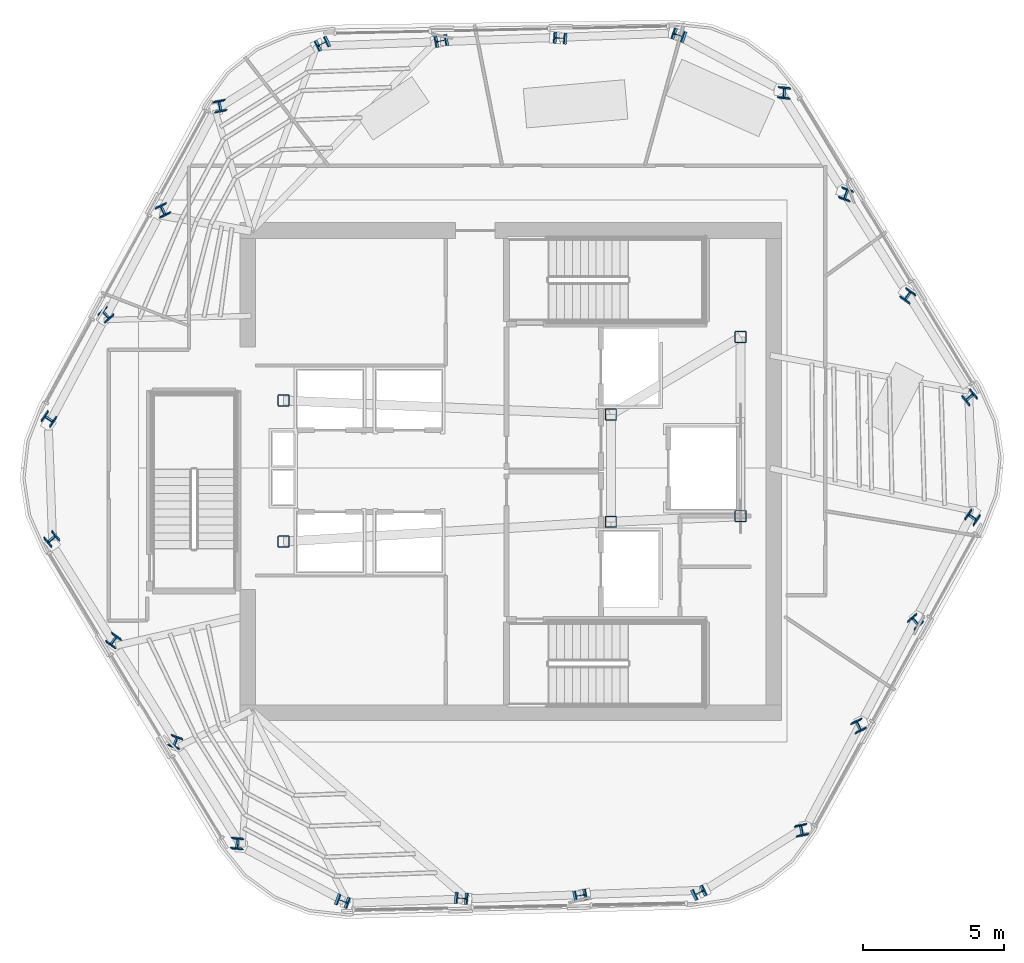
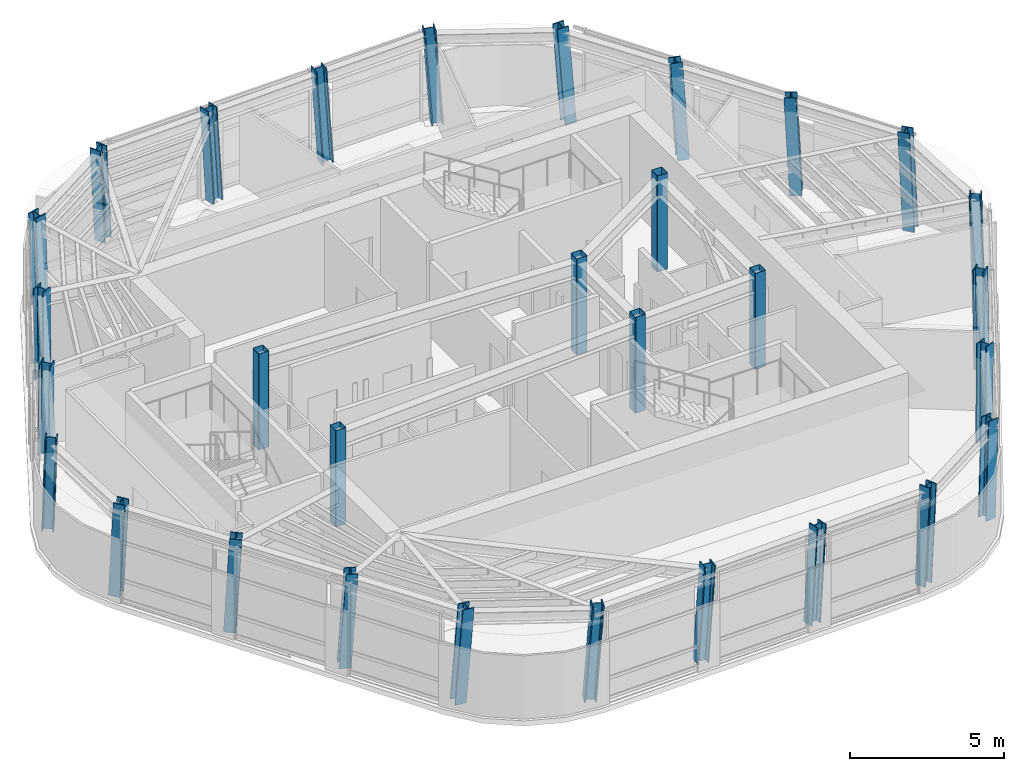
# One storey, part 1 of 13: 30 columns.
"""IFC4 building model written with IfcOpenShell, lengths in metres."""

import ifcopenshell
import ifcopenshell.guid

model = None  # the IFC model being written
_history = None  # IfcOwnerHistory: only IFC2X3 demands one
_inside = {}  # id of a spatial element -> (the spatial element, [elements in it])
_under = {}  # id of a project, library or spatial element -> (it, [spatial elements below it])
_declared = {}  # id of a project -> (the project, [libraries it declares])
_typed = {}  # id of a type object -> (the type object, [elements of that type])
_made_of = {}  # id of a material, layer set ... -> (it, [elements and type objects made of it])


def new_model(schema):
    """Start an empty IFC model of exactly this schema.

    Asked for "IFC4X3", IfcOpenShell would pick the latest addendum, in which some entities
    have other attributes; the version numbers below select the first issue.
    IFC2X3 requires an IfcOwnerHistory on every rooted entity: one is made here for all.
    """
    global model, _history
    if schema == "IFC4X3":
        model = ifcopenshell.file(schema_version=(4, 3, 0, 0))
    else:
        model = ifcopenshell.file(schema=schema)
    _inside.clear()
    _under.clear()
    _declared.clear()
    _typed.clear()
    _made_of.clear()
    _history = None
    if model.schema == "IFC2X3":
        org = make("IfcOrganization", Name="unknown")
        user = make(
            "IfcPersonAndOrganization",
            ThePerson=make("IfcPerson", FamilyName="unknown"),
            TheOrganization=org,
        )
        app = make(
            "IfcApplication",
            ApplicationDeveloper=org,
            Version="unknown",
            ApplicationFullName="unknown",
            ApplicationIdentifier="unknown",
        )
        _history = make(
            "IfcOwnerHistory",
            OwningUser=user,
            OwningApplication=app,
            ChangeAction="ADDED",
            CreationDate=0,
        )
    return model


def make(cls, **values):
    """One entity of the class cls with the attributes given. An attribute that is None is left unset."""
    return model.create_entity(
        cls, **{name: value for name, value in values.items() if value is not None}
    )


def rooted(cls, **values):
    """An entity with a GlobalId (a new one), such as an element, a storey or a relation."""
    return make(cls, GlobalId=ifcopenshell.guid.new(), OwnerHistory=_history, **values)


def si_unit(unit_type, name, prefix=None):
    """IfcSIUnit, for example si_unit("LENGTHUNIT", "METRE", prefix="MILLI")."""
    return make("IfcSIUnit", UnitType=unit_type, Prefix=prefix, Name=name)


def assignment(units):
    """IfcUnitAssignment: the units of a project."""
    return None if units is None else make("IfcUnitAssignment", Units=units)


def point(xyz):
    """IfcCartesianPoint."""
    return None if xyz is None else make("IfcCartesianPoint", Coordinates=xyz)


def direction(xyz):
    """IfcDirection."""
    return None if xyz is None else make("IfcDirection", DirectionRatios=xyz)


def frame(location, z_axis=None, x_axis=None):
    """IfcAxis2Placement3D, a coordinate frame: its origin and axes. An axis left out is left unset."""
    return make(
        "IfcAxis2Placement3D",
        Location=point(location),
        Axis=direction(z_axis),
        RefDirection=direction(x_axis),
    )


def frame_2d(location, x_axis=None):
    """IfcAxis2Placement2D, a coordinate frame in the plane: its origin and x axis."""
    return make(
        "IfcAxis2Placement2D", Location=point(location), RefDirection=direction(x_axis)
    )


def origin():
    """The frame at (0, 0, 0) with its axes left unset."""
    return frame((0.0, 0.0, 0.0))


def origin_2d():
    """The frame at (0, 0) in the plane with its x axis left unset."""
    return frame_2d((0.0, 0.0))


def place(relative_to, where):
    """IfcLocalPlacement: puts the frame where relative to a parent placement (None: the world)."""
    return make(
        "IfcLocalPlacement", PlacementRelTo=relative_to, RelativePlacement=where
    )


def context(
    kind, dimensions, precision=None, world=None, true_north=None, identifier=None
):
    """IfcGeometricRepresentationContext, for example the 3D "Model" context."""
    return make(
        "IfcGeometricRepresentationContext",
        ContextIdentifier=identifier,
        ContextType=kind,
        CoordinateSpaceDimension=dimensions,
        Precision=precision,
        WorldCoordinateSystem=world,
        TrueNorth=true_north,
    )


def subcontext(parent, identifier, kind, view, scale=None):
    """IfcGeometricRepresentationSubContext, for example "Body" below "Model"."""
    return make(
        "IfcGeometricRepresentationSubContext",
        ContextIdentifier=identifier,
        ContextType=kind,
        ParentContext=parent,
        TargetScale=scale,
        TargetView=view,
    )


def project(units=None, contexts=None):
    """IfcProject with its units and contexts."""
    return rooted(
        "IfcProject",
        Name="project",
        RepresentationContexts=contexts,
        UnitsInContext=assignment(units),
    )


def spatial(cls, under=None, at=None, **own):
    """A site, building, storey or space (cls), placed at a placement, below another one or the project."""
    s = rooted(cls, ObjectPlacement=at, **own)
    if under is not None:
        _under.setdefault(under.id(), (under, []))[1].append(s)
    return s


def profile(cls, at=None, kind="AREA", **sizes):
    """A parametric profile (cls). Its sizes go by their IFC names, for example OverallWidth=200.0."""
    return make(cls, ProfileType=kind, Position=at, **sizes)


def hollow_rectangle(**sizes):
    """IfcRectangleHollowProfileDef."""
    return profile("IfcRectangleHollowProfileDef", **sizes)


def i_section(**sizes):
    """IfcIShapeProfileDef."""
    return profile("IfcIShapeProfileDef", **sizes)


def extrude(swept, where, along, depth):
    """IfcExtrudedAreaSolid: the profile swept, set in the frame where, extruded along a direction by depth."""
    return make(
        "IfcExtrudedAreaSolid",
        SweptArea=swept,
        Position=where,
        ExtrudedDirection=direction(along),
        Depth=depth,
    )


def shape(context_of_items, identifier, shape_type, items):
    """IfcShapeRepresentation: the items that make up one representation, for example the "Body"."""
    return make(
        "IfcShapeRepresentation",
        ContextOfItems=context_of_items,
        RepresentationIdentifier=identifier,
        RepresentationType=shape_type,
        Items=items,
    )


def material(Name=None, Category=None):
    """IfcMaterial."""
    return make("IfcMaterial", Name=Name, Category=Category)


def material_profile(
    of_material, cross_section, Name=None, Category=None, Priority=None
):
    """IfcMaterialProfile: a cross section and its material."""
    return make(
        "IfcMaterialProfile",
        Name=Name,
        Material=of_material,
        Profile=cross_section,
        Priority=Priority,
        Category=Category,
    )


def profile_set(profiles, Name=None, composite=None):
    """IfcMaterialProfileSet."""
    return make(
        "IfcMaterialProfileSet",
        Name=Name,
        MaterialProfiles=profiles,
        CompositeProfile=composite,
    )


def made_of(thing, what):
    """Note that an element or type object is made of a material, layer set ...; save() writes the relation."""
    if what is not None:
        _made_of.setdefault(what.id(), (what, []))[1].append(thing)
    return thing


def type_object(cls, material=None, **own):
    """A type object (cls), such as IfcWallType, which elements share."""
    return made_of(rooted(cls, **own), material)


def element(
    cls,
    number,
    at=None,
    inside=None,
    cuts=None,
    type_object=None,
    material=None,
    context=None,
    identifier="Body",
    shape_type=None,
    held_by="IfcProductDefinitionShape",
    body=None,
    shapes=None,
    **own,
):
    """One element of the class cls, such as IfcWall. Its Tag is "e" and its number.

    at: its placement. inside: the storey or other place that contains it. cuts: it is an
    opening in that element (IfcRelVoidsElement). A single representation is given by context,
    identifier, shape_type and body (its items); several are given by shapes. held_by: the class
    of the entity that holds the representations. save() writes the other relations.
    """
    e = rooted(cls, Tag="e%d" % number, ObjectPlacement=at, **own)
    if body is not None:
        shapes = [shape(context, identifier, shape_type, body)]
    if shapes is not None:
        e.Representation = make(held_by, Representations=shapes)
    if inside is not None:
        _inside.setdefault(inside.id(), (inside, []))[1].append(e)
    if cuts is not None:
        rooted(
            "IfcRelVoidsElement", RelatingBuildingElement=cuts, RelatedOpeningElement=e
        )
    if type_object is not None:
        _typed.setdefault(type_object.id(), (type_object, []))[1].append(e)
    return made_of(e, material)


def aggregate(whole, parts):
    """IfcRelAggregates: a whole, such as a stair, and the parts it consists of."""
    return rooted("IfcRelAggregates", RelatingObject=whole, RelatedObjects=parts)


def save(model, path):
    """Write the relations noted so far, then the file.

    IfcRelAggregates (storeys below a building ...), IfcRelContainedInSpatialStructure (elements
    in a storey), IfcRelDefinesByType, IfcRelAssociatesMaterial and IfcRelDeclares: one each for
    every whole, place, type object, material and project.
    """
    for whole, parts in _under.values():
        aggregate(whole, parts)
    for where, things in _inside.values():
        rooted(
            "IfcRelContainedInSpatialStructure",
            RelatedElements=things,
            RelatingStructure=where,
        )
    for kind, things in _typed.values():
        rooted("IfcRelDefinesByType", RelatedObjects=things, RelatingType=kind)
    for what, things in _made_of.values():
        rooted("IfcRelAssociatesMaterial", RelatedObjects=things, RelatingMaterial=what)
    for by, libraries in _declared.values():
        rooted("IfcRelDeclares", RelatingContext=by, RelatedDefinitions=libraries)
    model.write(path)


model = new_model("IFC4")

# Units and contexts
model_context = context("Model", 3, precision=1e-05, world=origin(), true_north=direction((0.0, 1.0)))
body_context = subcontext(model_context, "Body", "Model", "MODEL_VIEW")
ifc_project = project(units=[si_unit("LENGTHUNIT", "METRE"), si_unit("AREAUNIT", "SQUARE_METRE"), si_unit("VOLUMEUNIT", "CUBIC_METRE"), si_unit("PLANEANGLEUNIT", "RADIAN"), si_unit("MASSUNIT", "GRAM", prefix="KILO")], contexts=[model_context])

# Site, building, storey
site_placement = place(None, origin())
site = spatial("IfcSite", under=ifc_project, at=site_placement, CompositionType="ELEMENT")
building_placement = place(site_placement, origin())
building = spatial("IfcBuilding", under=site, at=building_placement, Name="Valkerne Bourse Tower", CompositionType="ELEMENT")
storey_placement = place(building_placement, frame((0.0, 0.0, 288.800048828125)))
storey = spatial("IfcBuildingStorey", under=building, at=storey_placement, Name="L73", CompositionType="ELEMENT", Elevation=288.800048828125)

# Columns
ifc_material_1 = material(Name="Steel ASTM A500 Grade C", Category="steel")
ifc_material_profile_1 = material_profile(ifc_material_1, hollow_rectangle(XDim=0.39990234375, YDim=0.39990234375, WallThickness=0.01611328125, OuterFilletRadius=0.031982421875, at=origin_2d()), Name="HSS400X400X16")
ifc_profile_set_1 = profile_set([ifc_material_profile_1], Name="Steel ASTM A500 Grade C")
column_type_1 = type_object("IfcColumnType", Name="COL-HSS400X400X16", PredefinedType="COLUMN", material=ifc_profile_set_1)
for number, where, z_axis, x_axis, name in (
    (1, (38.75, 24.39990234375, 0.0048828125), (0.0, 0.0, 1.0), (1.0, 0.0, 0.0), "L73 Core Frame Column CC-SW"),
    (2, (38.75, 29.39990234375, 0.0048828125), (0.0, 0.0, 1.0), (1.0, 0.0, 0.0), "L73 Core Frame Column CC-NW"),
    (3, (50.35009765625, 25.10009765625, 0.0048828125), (0.0, 0.0, 1.0), (1.0, 0.0, 0.0), "L73 Core Frame Column CC-CE1"),
    (4, (50.35009765625, 28.89990234375, 0.0048828125), (0.0, 0.0, 1.0), (1.0, 0.0, 0.0), "L73 Core Frame Column CC-CE2"),
    (5, (54.949951171875, 25.300048828125, 0.0048828125), (0.0, 0.0, 1.0), (1.0, 0.0, 0.0), "L73 Core Frame Column CC-SE"),
    (6, (54.949951171875, 31.64990234375, 0.0048828125), (0.0, 0.0, 1.0), (1.0, 0.0, 0.0), "L73 Core Frame Column CC-NE"),
):
    element("IfcColumn", number, at=place(storey_placement, frame(where, z_axis=z_axis, x_axis=x_axis)), inside=storey, type_object=column_type_1, Name=name, PredefinedType="COLUMN", context=body_context, shape_type="SweptSolid", body=[
        extrude(hollow_rectangle(XDim=0.39990234375, YDim=0.39990234375, WallThickness=0.01611328125, OuterFilletRadius=0.031982421875, at=origin_2d()), origin(), (0.0, 0.0, 1.0), 3.795166015625),
    ])
ifc_material_2 = material(Name="Steel ASTM A913 Grade 65", Category="steel")
ifc_material_profile_2 = material_profile(ifc_material_2, i_section(OverallWidth=0.4013671875, OverallDepth=0.398681640625, WebThickness=0.02490234375, FlangeThickness=0.03955078125, FilletRadius=0.025390625, at=origin_2d()), Name="W14X211")
ifc_profile_set_2 = profile_set([ifc_material_profile_2], Name="Steel ASTM A913 Grade 65")
column_type_2 = type_object("IfcColumnType", Name="COL-W14X211", PredefinedType="COLUMN", material=ifc_profile_set_2)
column_1_placement = place(storey_placement, frame((52.79833984375, 42.32763671875, 0.010009765625), z_axis=(-0.063711197212, 0.024415109953, 0.997669677677), x_axis=(0.338251385971, 0.941054705202, -0.001428883099)))
element("IfcColumn", 7, at=column_1_placement, inside=storey, type_object=column_type_2, Name="L73 Helical Perimeter Tube Column F1-C1", PredefinedType="COLUMN", context=body_context, shape_type="SweptSolid", body=[
    extrude(i_section(OverallWidth=0.4013671875, OverallDepth=0.398681640625, WebThickness=0.02490234375, FlangeThickness=0.03955078125, FilletRadius=0.025390625, at=origin_2d()), origin(), (0.0, 0.0, 1.0), 3.789794921875),
])
for number, where, z_axis, x_axis, name in (
    (8, (48.587158203125, 42.239501953125, 0.010009765625), (-0.063215248368, 0.006895037284, 0.997976097326), (0.087628710557, 0.99615231545, -0.001331731949), "L73 Helical Perimeter Tube Column F1-C2"),
    (9, (44.376220703125, 42.1513671875, 0.010009765625), (-0.062763941553, -0.010568055867, 0.997972446431), (-0.186613986783, 0.982432411533, -0.001332931338), "L73 Helical Perimeter Tube Column F1-C3"),
):
    element("IfcColumn", number, at=place(storey_placement, frame(where, z_axis=z_axis, x_axis=x_axis)), inside=storey, type_object=column_type_2, Name=name, PredefinedType="COLUMN", context=body_context, shape_type="SweptSolid", body=[
        extrude(i_section(OverallWidth=0.4013671875, OverallDepth=0.398681640625, WebThickness=0.02490234375, FlangeThickness=0.03955078125, FilletRadius=0.025390625, at=origin_2d()), origin(), (0.0, 0.0, 1.0), 3.78857421875),
    ])
for number, where, z_axis, x_axis, name in (
    (10, (40.1650390625, 42.06298828125, 0.010009765625), (-0.062229573744, -0.027958214291, 0.997670195207), (-0.428783555788, 0.90340612187, -0.001428724608), "L73 Helical Perimeter Tube Column F1-C4"),
    (11, (36.52490234375, 39.858642578125, 0.010009765625), (-0.052953072035, -0.043032423503, 0.997669375439), (-0.982302853329, -0.177498844653, -0.059793515443), "L73 Helical Perimeter Tube Column F2-C1"),
):
    element("IfcColumn", number, at=place(storey_placement, frame(where, z_axis=z_axis, x_axis=x_axis)), inside=storey, type_object=column_type_2, Name=name, PredefinedType="COLUMN", context=body_context, shape_type="SweptSolid", body=[
        extrude(i_section(OverallWidth=0.4013671875, OverallDepth=0.398681640625, WebThickness=0.02490234375, FlangeThickness=0.03955078125, FilletRadius=0.025390625, at=origin_2d()), origin(), (0.0, 0.0, 1.0), 3.789794921875),
    ])
for number, where, z_axis, x_axis, name in (
    (12, (34.495849609375, 36.16748046875, 0.010009765625), (-0.037632659506, -0.051293830422, 0.997974311242), (-0.905746288977, -0.420137720276, -0.055749044883), "L73 Helical Perimeter Tube Column F2-C2"),
    (13, (32.466796875, 32.4765625, 0.010009765625), (-0.022296030998, -0.059606441253, 0.997972925065), (-0.757608890936, -0.650321987753, -0.055768096787), "L73 Helical Perimeter Tube Column F2-C3"),
):
    element("IfcColumn", number, at=place(storey_placement, frame(where, z_axis=z_axis, x_axis=x_axis)), inside=storey, type_object=column_type_2, Name=name, PredefinedType="COLUMN", context=body_context, shape_type="SweptSolid", body=[
        extrude(i_section(OverallWidth=0.4013671875, OverallDepth=0.398681640625, WebThickness=0.02490234375, FlangeThickness=0.03955078125, FilletRadius=0.025390625, at=origin_2d()), origin(), (0.0, 0.0, 1.0), 3.78857421875),
    ])
for number, where, z_axis, x_axis, name in (
    (14, (30.4375, 28.785400390625, 0.010009765625), (-0.006828524737, -0.067834307057, 0.997673232094), (-0.566896576807, -0.821619690657, -0.059744080287), "L73 Helical Perimeter Tube Column F2-C4"),
    (15, (30.526611328125, 24.53076171875, 0.010009765625), (0.010758103711, -0.067383092702, 0.997669174638), (0.646089998575, -0.76102628147, -0.058367051087), "L73 Helical Perimeter Tube Column F3-C1"),
):
    element("IfcColumn", number, at=place(storey_placement, frame(where, z_axis=z_axis, x_axis=x_axis)), inside=storey, type_object=column_type_2, Name=name, PredefinedType="COLUMN", context=body_context, shape_type="SweptSolid", body=[
        extrude(i_section(OverallWidth=0.4013671875, OverallDepth=0.398681640625, WebThickness=0.02490234375, FlangeThickness=0.03955078125, FilletRadius=0.025390625, at=origin_2d()), origin(), (0.0, 0.0, 1.0), 3.789794921875),
    ])
for number, where, z_axis, x_axis, name in (
    (16, (32.70849609375, 20.927978515625, 0.010009765625), (0.025646960952, -0.058188959145, 0.99797609111), (0.8183099765, -0.572197694411, -0.054392838426), "L73 Helical Perimeter Tube Column F3-C2"),
    (17, (34.890380859375, 17.3251953125, 0.010009765625), (0.040532428777, -0.049038439268, 0.997974124761), (0.943130117405, -0.32793921578, -0.054419228195), "L73 Helical Perimeter Tube Column F3-C3"),
):
    element("IfcColumn", number, at=place(storey_placement, frame(where, z_axis=z_axis, x_axis=x_axis)), inside=storey, type_object=column_type_2, Name=name, PredefinedType="COLUMN", context=body_context, shape_type="SweptSolid", body=[
        extrude(i_section(OverallWidth=0.4013671875, OverallDepth=0.398681640625, WebThickness=0.02490234375, FlangeThickness=0.03955078125, FilletRadius=0.025390625, at=origin_2d()), origin(), (0.0, 0.0, 1.0), 3.78857421875),
    ])
for number, where, z_axis, x_axis, name in (
    (18, (37.072509765625, 13.722412109375, 0.010009765625), (0.05533670391, -0.039875925169, 0.997671168167), (0.995195265357, -0.078629393272, -0.058342114507), "L73 Helical Perimeter Tube Column F3-C4"),
    (19, (40.8017578125, 11.67236328125, 0.010009765625), (0.063711197212, -0.024415109953, 0.997669677677), (0.338251385971, 0.941054705202, 0.001428883099), "L73 Helical Perimeter Tube Column F4-C1"),
):
    element("IfcColumn", number, at=place(storey_placement, frame(where, z_axis=z_axis, x_axis=x_axis)), inside=storey, type_object=column_type_2, Name=name, PredefinedType="COLUMN", context=body_context, shape_type="SweptSolid", body=[
        extrude(i_section(OverallWidth=0.4013671875, OverallDepth=0.398681640625, WebThickness=0.02490234375, FlangeThickness=0.03955078125, FilletRadius=0.025390625, at=origin_2d()), origin(), (0.0, 0.0, 1.0), 3.789794921875),
    ])
for number, where, z_axis, x_axis, name in (
    (20, (45.0126953125, 11.760498046875, 0.010009765625), (0.063279430065, -0.006895009182, 0.997972029958), (0.087519449939, 0.996161918973, 0.001333068089), "L73 Helical Perimeter Tube Column F4-C2"),
    (21, (49.223876953125, 11.8486328125, 0.010009765625), (0.062699755645, 0.010568098588, 0.997976480652), (-0.186779385781, 0.982400981205, 0.001331605956), "L73 Helical Perimeter Tube Column F4-C3"),
):
    element("IfcColumn", number, at=place(storey_placement, frame(where, z_axis=z_axis, x_axis=x_axis)), inside=storey, type_object=column_type_2, Name=name, PredefinedType="COLUMN", context=body_context, shape_type="SweptSolid", body=[
        extrude(i_section(OverallWidth=0.4013671875, OverallDepth=0.398681640625, WebThickness=0.02490234375, FlangeThickness=0.03955078125, FilletRadius=0.025390625, at=origin_2d()), origin(), (0.0, 0.0, 1.0), 3.78857421875),
    ])
for number, where, z_axis, x_axis, name in (
    (22, (53.434814453125, 11.93701171875, 0.010009765625), (0.062229573744, 0.027958214291, 0.997670195207), (-0.428783555788, 0.90340612187, 0.001428724608), "L73 Helical Perimeter Tube Column F4-C4"),
    (23, (57.074951171875, 14.141357421875, 0.010009765625), (0.052953072035, 0.043032423503, 0.997669375439), (-0.982302853329, -0.177498844653, 0.059793515443), "L73 Helical Perimeter Tube Column F5-C1"),
):
    element("IfcColumn", number, at=place(storey_placement, frame(where, z_axis=z_axis, x_axis=x_axis)), inside=storey, type_object=column_type_2, Name=name, PredefinedType="COLUMN", context=body_context, shape_type="SweptSolid", body=[
        extrude(i_section(OverallWidth=0.4013671875, OverallDepth=0.398681640625, WebThickness=0.02490234375, FlangeThickness=0.03955078125, FilletRadius=0.025390625, at=origin_2d()), origin(), (0.0, 0.0, 1.0), 3.789794921875),
    ])
for number, where, z_axis, x_axis, name in (
    (24, (59.104248046875, 17.83251953125, 0.010009765625), (0.037568311047, 0.051293954705, 0.997976729296), (-0.905403912839, -0.420879442125, 0.055715794997), "L73 Helical Perimeter Tube Column F5-C2"),
    (25, (61.13330078125, 21.5234375, 0.010009765625), (0.022231623497, 0.059606526769, 0.997974356826), (-0.756992013407, -0.651041631158, 0.055748418251), "L73 Helical Perimeter Tube Column F5-C3"),
):
    element("IfcColumn", number, at=place(storey_placement, frame(where, z_axis=z_axis, x_axis=x_axis)), inside=storey, type_object=column_type_2, Name=name, PredefinedType="COLUMN", context=body_context, shape_type="SweptSolid", body=[
        extrude(i_section(OverallWidth=0.4013671875, OverallDepth=0.398681640625, WebThickness=0.02490234375, FlangeThickness=0.03955078125, FilletRadius=0.025390625, at=origin_2d()), origin(), (0.0, 0.0, 1.0), 3.78857421875),
    ])
for number, where, z_axis, x_axis, name in (
    (26, (63.16259765625, 25.214599609375, 0.010009765625), (0.006828524737, 0.067834307057, 0.997673232094), (-0.566896576807, -0.821619690657, 0.059744080287), "L73 Helical Perimeter Tube Column F5-C4"),
    (27, (63.073486328125, 29.46923828125, 0.010009765625), (-0.010758103711, 0.067383092702, 0.997669174638), (0.646089998575, -0.76102628147, 0.058367051087), "L73 Helical Perimeter Tube Column F6-C1"),
):
    element("IfcColumn", number, at=place(storey_placement, frame(where, z_axis=z_axis, x_axis=x_axis)), inside=storey, type_object=column_type_2, Name=name, PredefinedType="COLUMN", context=body_context, shape_type="SweptSolid", body=[
        extrude(i_section(OverallWidth=0.4013671875, OverallDepth=0.398681640625, WebThickness=0.02490234375, FlangeThickness=0.03955078125, FilletRadius=0.025390625, at=origin_2d()), origin(), (0.0, 0.0, 1.0), 3.789794921875),
    ])
for number, where, z_axis, x_axis, name in (
    (28, (60.891357421875, 33.072021484375, 0.010009765625), (-0.025646960952, 0.058188959145, 0.99797609111), (0.8183099765, -0.572197694411, 0.054392838426), "L73 Helical Perimeter Tube Column F6-C2"),
    (29, (58.70947265625, 36.6748046875, 0.010009765625), (-0.040468094918, 0.04903856725, 0.997976729296), (0.942875059107, -0.328677614095, 0.054384270772), "L73 Helical Perimeter Tube Column F6-C3"),
):
    element("IfcColumn", number, at=place(storey_placement, frame(where, z_axis=z_axis, x_axis=x_axis)), inside=storey, type_object=column_type_2, Name=name, PredefinedType="COLUMN", context=body_context, shape_type="SweptSolid", body=[
        extrude(i_section(OverallWidth=0.4013671875, OverallDepth=0.398681640625, WebThickness=0.02490234375, FlangeThickness=0.03955078125, FilletRadius=0.025390625, at=origin_2d()), origin(), (0.0, 0.0, 1.0), 3.78857421875),
    ])
column_2_placement = place(storey_placement, frame((56.527587890625, 40.277587890625, 0.010009765625), z_axis=(-0.05533670391, 0.039875925169, 0.997671168167), x_axis=(0.995195265357, -0.078629393272, 0.058342114507)))
element("IfcColumn", 30, at=column_2_placement, inside=storey, type_object=column_type_2, Name="L73 Helical Perimeter Tube Column F6-C4", PredefinedType="COLUMN", context=body_context, shape_type="SweptSolid", body=[
    extrude(i_section(OverallWidth=0.4013671875, OverallDepth=0.398681640625, WebThickness=0.02490234375, FlangeThickness=0.03955078125, FilletRadius=0.025390625, at=origin_2d()), origin(), (0.0, 0.0, 1.0), 3.789794921875),
])

save(model, "model.ifc")
